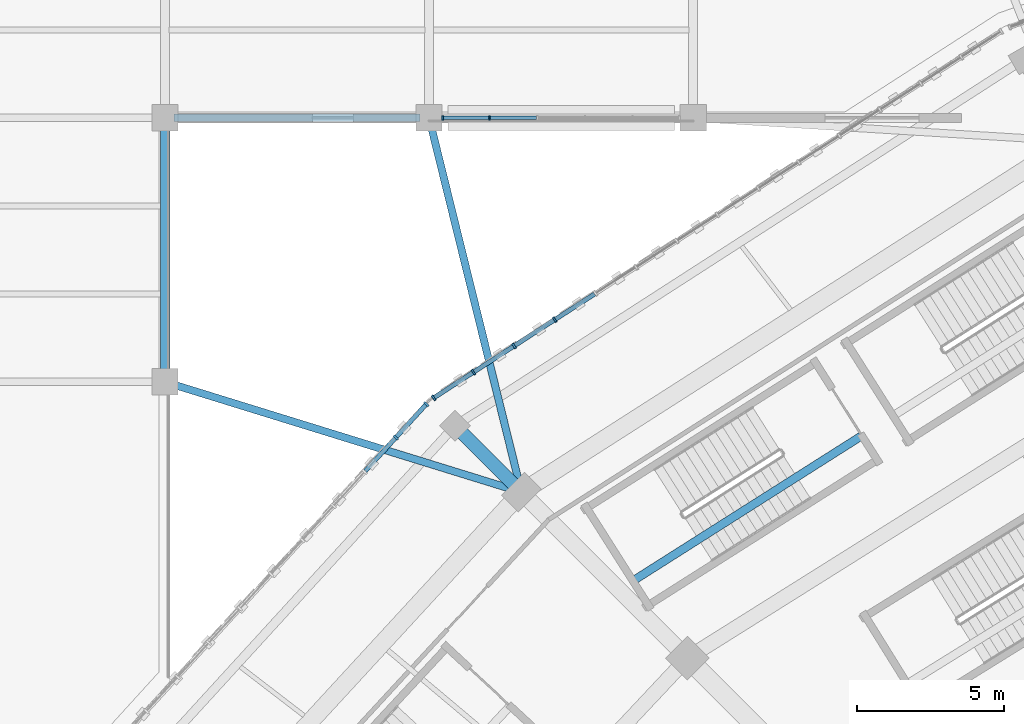
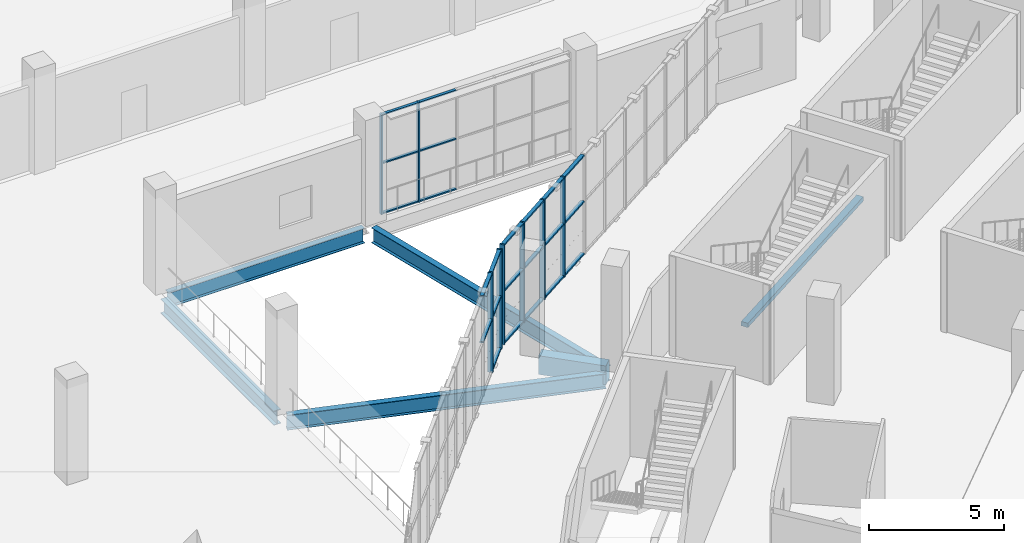
# One storey, part 47 of 183: 31 members, 6 beams, 3 elements without a shape of their own.
"""IFC4 building model written with IfcOpenShell, lengths in metres."""

from ifc_helpers import new_model, si_unit, direction, frame, origin, origin_2d, place, context, subcontext, project, spatial, rectangle, i_section, extrude, material, material_profile, profile_set, type_object, element, aggregate, save


model = new_model("IFC4")

# Units and contexts
model_context = context("Model", 3, precision=1e-05, world=origin(), true_north=direction((0.0, 1.0)))
body_context = subcontext(model_context, "Body", "Model", "MODEL_VIEW")
ifc_project = project(units=[si_unit("LENGTHUNIT", "METRE"), si_unit("AREAUNIT", "SQUARE_METRE"), si_unit("VOLUMEUNIT", "CUBIC_METRE"), si_unit("PLANEANGLEUNIT", "RADIAN"), si_unit("MASSUNIT", "GRAM", prefix="KILO")], contexts=[model_context])

# Site, building, storey
site_placement = place(None, origin())
site = spatial("IfcSite", under=ifc_project, at=site_placement, CompositionType="ELEMENT")
building_placement = place(site_placement, origin())
building = spatial("IfcBuilding", under=site, at=building_placement, Name="Zevraka Park Crest Stadium", CompositionType="ELEMENT")
storey_placement = place(building_placement, frame((0.0, 0.0, 5.39990234375)))
storey = spatial("IfcBuildingStorey", under=building, at=storey_placement, Name="L01", CompositionType="ELEMENT", Elevation=5.39990234375)

# Beams
ifc_material_1 = material(Name="Concrete C40/50", Category="concrete")
ifc_material_profile_1 = material_profile(ifc_material_1, rectangle(XDim=0.449951171875, YDim=0.85009765625, at=origin_2d()), Name="RC 850x450")
ifc_profile_set_1 = profile_set([ifc_material_profile_1], Name="Concrete C40/50")
beam_type_1 = type_object("IfcBeamType", Name="BG03", PredefinedType="BEAM", material=ifc_profile_set_1)
beam_1_placement = place(storey_placement, frame((47.93603515625, 145.45703125, -0.434814453125), z_axis=(-0.706965918589, 0.707247615728, 0.0), x_axis=(-0.707247615728, -0.706965918589, 0.0)))
element("IfcBeam", 1, at=beam_1_placement, inside=storey, type_object=beam_type_1, Name="Radial Girder BG03 L01-DE-09", PredefinedType="BEAM", context=body_context, shape_type="SweptSolid", body=[
    extrude(rectangle(XDim=0.449951171875, YDim=0.85009765625, at=origin_2d()), origin(), (0.0, 0.0, 1.0), 2.60009765625),
])
ifc_material_2 = material(Name="Steel S355", Category="steel")
ifc_material_profile_2 = material_profile(ifc_material_2, i_section(OverallWidth=0.253662109375, OverallDepth=0.68359375, WebThickness=0.012451171875, FlangeThickness=0.01904296875, at=origin_2d()), Name="UKB 686x254x140")
ifc_profile_set_2 = profile_set([ifc_material_profile_2], Name="Steel S355")
beam_type_2 = type_object("IfcBeamType", Name="BG05", PredefinedType="BEAM", material=ifc_profile_set_2)
beam_2_placement = place(storey_placement, frame((36.19091796875, 148.94091796875, -0.649658203125), z_axis=(0.955393662016, -0.295335318882, 0.0), x_axis=(0.295335318882, 0.955393662016, 0.0)))
element("IfcBeam", 2, at=beam_2_placement, inside=storey, type_object=beam_type_2, Name="Wing Link Girder BG05 L01-5/S", PredefinedType="BEAM", context=body_context, shape_type="SweptSolid", body=[
    extrude(i_section(OverallWidth=0.253662109375, OverallDepth=0.68359375, WebThickness=0.012451171875, FlangeThickness=0.01904296875, at=origin_2d()), origin(), (0.0, 0.0, 1.0), 12.13525390625),
])
beam_3_placement = place(storey_placement, frame((36.300048828125, 158.0, -0.649658203125), z_axis=(1.0, 0.0, 0.0), x_axis=(0.0, 1.0, 0.0)))
element("IfcBeam", 3, at=beam_3_placement, inside=storey, type_object=beam_type_2, Name="Wing Girder BG05 L01-56/T", PredefinedType="BEAM", context=body_context, shape_type="SweptSolid", body=[
    extrude(i_section(OverallWidth=0.253662109375, OverallDepth=0.68359375, WebThickness=0.012451171875, FlangeThickness=0.01904296875, at=origin_2d()), origin(), (0.0, 0.0, 1.0), 8.39990234375),
])
beam_4_placement = place(storey_placement, frame((45.048095703125, 157.805908203125, -0.649658203125), z_axis=(0.23959769566, -0.970872259483, 0.0), x_axis=(0.970872259483, 0.23959769566, 0.0)))
element("IfcBeam", 4, at=beam_4_placement, inside=storey, type_object=beam_type_2, Name="Wing Link Girder BG05 L01-6/T", PredefinedType="BEAM", context=body_context, shape_type="SweptSolid", body=[
    extrude(i_section(OverallWidth=0.253662109375, OverallDepth=0.68359375, WebThickness=0.012451171875, FlangeThickness=0.01904296875, at=origin_2d()), origin(), (0.0, 0.0, 1.0), 12.5576171875),
])
ifc_material_3 = material(Name="Steel S355", Category="steel")
ifc_material_profile_3 = material_profile(ifc_material_3, i_section(OverallWidth=0.300048828125, OverallDepth=0.64990234375, WebThickness=0.01611328125, FlangeThickness=0.031005859375, at=origin_2d()), Name="HEB 650")
ifc_profile_set_3 = profile_set([ifc_material_profile_3], Name="Steel S355")
beam_type_3 = type_object("IfcBeamType", Name="BG07", PredefinedType="BEAM", material=ifc_profile_set_3)
beam_5_placement = place(storey_placement, frame((36.0, 149.300048828125, -0.6328125), z_axis=(0.0, 1.0, 0.0), x_axis=(-1.0, 0.0, 0.0)))
element("IfcBeam", 5, at=beam_5_placement, inside=storey, type_object=beam_type_3, Name="Wing Girder BG07 L01-5/ST", PredefinedType="BEAM", context=body_context, shape_type="SweptSolid", body=[
    extrude(i_section(OverallWidth=0.300048828125, OverallDepth=0.64990234375, WebThickness=0.01611328125, FlangeThickness=0.031005859375, at=origin_2d()), origin(), (0.0, 0.0, 1.0), 8.39990234375),
])

# Curtain wall, members
ifc_material_4 = material(Name="Anodised architectural aluminium and laminated safety glass", Category="aluminium")
curtain_wall_type_1 = type_object("IfcCurtainWallType", Name="CW28", PredefinedType="NOTDEFINED", material=ifc_material_4)
curtain_wall_1_placement = place(storey_placement, origin())
curtain_wall_1 = element("IfcCurtainWall", 6, at=curtain_wall_1_placement, inside=storey, type_object=curtain_wall_type_1, Name="Wing Curtain Wall CW28 L01-NW-VER1-2", PredefinedType="NOTDEFINED")
ifc_material_5 = material(Name="Anodised architectural aluminium", Category="aluminium")
ifc_material_profile_4 = material_profile(ifc_material_5, rectangle(XDim=0.159912109375, YDim=0.06005859375, at=origin_2d()), Name="ALU MULLION 160x60")
ifc_profile_set_4 = profile_set([ifc_material_profile_4], Name="Anodised architectural aluminium")
member_type_1 = type_object("IfcMemberType", Name="CM01", PredefinedType="MULLION", material=ifc_profile_set_4)
member_1_placement = place(storey_placement, frame((47.06396484375, 158.0, 0.0), z_axis=(0.0, 0.0, 1.0), x_axis=(0.0, -1.0, 0.0)))
member_1 = element("IfcMember", 7, at=member_1_placement, type_object=member_type_1, Name="CW28 mullion 5", PredefinedType="MULLION", context=body_context, shape_type="SweptSolid", body=[
    extrude(rectangle(XDim=0.159912109375, YDim=0.06005859375, at=origin_2d()), origin(), (0.0, 0.0, 1.0), 4.52001953125),
])
member_2_placement = place(storey_placement, frame((45.469970703125, 158.0, 0.0), z_axis=(0.0, 0.0, 1.0), x_axis=(0.0, -1.0, 0.0)))
member_2 = element("IfcMember", 8, at=member_2_placement, type_object=member_type_1, Name="CW28 mullion 6", PredefinedType="MULLION", context=body_context, shape_type="SweptSolid", body=[
    extrude(rectangle(XDim=0.159912109375, YDim=0.06005859375, at=origin_2d()), origin(), (0.0, 0.0, 1.0), 4.52001953125),
])

ifc_material_6 = material(Name="Anodised architectural aluminium and laminated safety glass", Category="aluminium")
curtain_wall_type_2 = type_object("IfcCurtainWallType", Name="CW03", PredefinedType="NOTDEFINED", material=ifc_material_6)
curtain_wall_2_placement = place(storey_placement, origin())
curtain_wall_2 = element("IfcCurtainWall", 9, at=curtain_wall_2_placement, inside=storey, type_object=curtain_wall_type_2, Name="Unitised Ring Curtain Wall CW03 L01-08", PredefinedType="NOTDEFINED")
ifc_material_7 = material(Name="Anodised architectural aluminium", Category="aluminium")
ifc_material_profile_5 = material_profile(ifc_material_7, rectangle(XDim=0.199951171875, YDim=0.070068359375, at=origin_2d()), Name="ALU MULLION 200x70")
ifc_profile_set_5 = profile_set([ifc_material_profile_5], Name="Anodised architectural aluminium")
member_type_2 = type_object("IfcMemberType", Name="CM03", PredefinedType="MULLION", material=ifc_profile_set_5)
member_3_placement = place(storey_placement, frame((49.283935546875, 151.12109375, 0.0), z_axis=(0.0, 0.0, 1.0), x_axis=(0.542570628938, -0.840010186018, 0.0)))
member_3 = element("IfcMember", 10, at=member_3_placement, type_object=member_type_2, Name="CW03 mullion 12", PredefinedType="MULLION", context=body_context, shape_type="SweptSolid", body=[
    extrude(rectangle(XDim=0.199951171875, YDim=0.070068359375, at=origin_2d()), origin(), (0.0, 0.0, 1.0), 4.52001953125),
])
member_4_placement = place(storey_placement, frame((47.898193359375, 150.22607421875, 0.0), z_axis=(0.0, 0.0, 1.0), x_axis=(0.542570628938, -0.840010186018, 0.0)))
member_4 = element("IfcMember", 11, at=member_4_placement, type_object=member_type_2, Name="CW03 mullion 13", PredefinedType="MULLION", context=body_context, shape_type="SweptSolid", body=[
    extrude(rectangle(XDim=0.199951171875, YDim=0.070068359375, at=origin_2d()), origin(), (0.0, 0.0, 1.0), 4.52001953125),
])
member_5_placement = place(storey_placement, frame((46.5126953125, 149.3310546875, 0.0), z_axis=(0.0, 0.0, 1.0), x_axis=(0.542570628938, -0.840010186018, 0.0)))
member_5 = element("IfcMember", 12, at=member_5_placement, type_object=member_type_2, Name="CW03 mullion 14", PredefinedType="MULLION", context=body_context, shape_type="SweptSolid", body=[
    extrude(rectangle(XDim=0.199951171875, YDim=0.070068359375, at=origin_2d()), origin(), (0.0, 0.0, 1.0), 4.52001953125),
])
member_6_placement = place(storey_placement, frame((45.156494140625, 148.455078125, 0.0), z_axis=(0.0, 0.0, 1.0), x_axis=(0.542570628938, -0.840010186018, 0.0)))
member_6 = element("IfcMember", 13, at=member_6_placement, type_object=member_type_2, Name="CW03 mullion 15", PredefinedType="MULLION", context=body_context, shape_type="SweptSolid", body=[
    extrude(rectangle(XDim=0.199951171875, YDim=0.070068359375, at=origin_2d()), origin(), (0.0, 0.0, 1.0), 4.52001953125),
])

curtain_wall_3_placement = place(storey_placement, origin())
curtain_wall_3 = element("IfcCurtainWall", 14, at=curtain_wall_3_placement, inside=storey, type_object=curtain_wall_type_2, Name="Unitised Ring Curtain Wall CW03 L01-09", PredefinedType="NOTDEFINED")
member_7_placement = place(storey_placement, frame((44.907470703125, 148.244140625, 0.0), z_axis=(0.0, 0.0, 1.0), x_axis=(0.739023476371, -0.673679672672, 0.0)))
member_7 = element("IfcMember", 15, at=member_7_placement, type_object=member_type_2, Name="CW03 mullion 1", PredefinedType="MULLION", context=body_context, shape_type="SweptSolid", body=[
    extrude(rectangle(XDim=0.199951171875, YDim=0.070068359375, at=origin_2d()), origin(), (0.0, 0.0, 1.0), 4.52001953125),
])
member_8_placement = place(storey_placement, frame((43.868408203125, 147.104248046875, 0.0), z_axis=(0.0, 0.0, 1.0), x_axis=(0.739023476371, -0.673679672672, 0.0)))
member_8 = element("IfcMember", 16, at=member_8_placement, type_object=member_type_2, Name="CW03 mullion 2", PredefinedType="MULLION", context=body_context, shape_type="SweptSolid", body=[
    extrude(rectangle(XDim=0.199951171875, YDim=0.070068359375, at=origin_2d()), origin(), (0.0, 0.0, 1.0), 4.52001953125),
])

# Member
ifc_material_8 = material(Name="Anodised architectural aluminium", Category="aluminium")
ifc_material_profile_6 = material_profile(ifc_material_8, rectangle(XDim=0.1201171875, YDim=0.06005859375, at=origin_2d()), Name="ALU TRANSOM 120x60")
ifc_profile_set_6 = profile_set([ifc_material_profile_6], Name="Anodised architectural aluminium")
member_type_3 = type_object("IfcMemberType", Name="CT01", PredefinedType="USERDEFINED", material=ifc_profile_set_6)
member_9_placement = place(storey_placement, frame((48.657958984375, 158.0, 0.030029296875), z_axis=(-1.0, 0.0, 0.0), x_axis=(0.0, -1.0, 0.0)))
member_9 = element("IfcMember", 17, at=member_9_placement, type_object=member_type_3, Name="CW28 transom 4.1", ObjectType="TRANSOM", PredefinedType="USERDEFINED", context=body_context, shape_type="SweptSolid", body=[
    extrude(rectangle(XDim=0.1201171875, YDim=0.06005859375, at=origin_2d()), origin(), (0.0, 0.0, 1.0), 1.56396484375),
])

member_10_placement = place(storey_placement, frame((48.657958984375, 158.0, 2.300048828125), z_axis=(-1.0, 0.0, 0.0), x_axis=(0.0, -1.0, 0.0)))
member_10 = element("IfcMember", 18, at=member_10_placement, type_object=member_type_3, Name="CW28 transom 4.2", ObjectType="TRANSOM", PredefinedType="USERDEFINED", context=body_context, shape_type="SweptSolid", body=[
    extrude(rectangle(XDim=0.1201171875, YDim=0.06005859375, at=origin_2d()), origin(), (0.0, 0.0, 1.0), 1.56396484375),
])

member_11_placement = place(storey_placement, frame((48.657958984375, 158.0, 4.489990234375), z_axis=(-1.0, 0.0, 0.0), x_axis=(0.0, -1.0, 0.0)))
member_11 = element("IfcMember", 19, at=member_11_placement, type_object=member_type_3, Name="CW28 transom 4.3", ObjectType="TRANSOM", PredefinedType="USERDEFINED", context=body_context, shape_type="SweptSolid", body=[
    extrude(rectangle(XDim=0.1201171875, YDim=0.06005859375, at=origin_2d()), origin(), (0.0, 0.0, 1.0), 1.56396484375),
])

member_12_placement = place(storey_placement, frame((47.033935546875, 158.0, 0.030029296875), z_axis=(-1.0, 0.0, 0.0), x_axis=(0.0, -1.0, 0.0)))
member_12 = element("IfcMember", 20, at=member_12_placement, type_object=member_type_3, Name="CW28 transom 5.1", ObjectType="TRANSOM", PredefinedType="USERDEFINED", context=body_context, shape_type="SweptSolid", body=[
    extrude(rectangle(XDim=0.1201171875, YDim=0.06005859375, at=origin_2d()), origin(), (0.0, 0.0, 1.0), 1.533935546875),
])

member_13_placement = place(storey_placement, frame((47.033935546875, 158.0, 2.300048828125), z_axis=(-1.0, 0.0, 0.0), x_axis=(0.0, -1.0, 0.0)))
member_13 = element("IfcMember", 21, at=member_13_placement, type_object=member_type_3, Name="CW28 transom 5.2", ObjectType="TRANSOM", PredefinedType="USERDEFINED", context=body_context, shape_type="SweptSolid", body=[
    extrude(rectangle(XDim=0.1201171875, YDim=0.06005859375, at=origin_2d()), origin(), (0.0, 0.0, 1.0), 1.533935546875),
])

member_14_placement = place(storey_placement, frame((47.033935546875, 158.0, 4.489990234375), z_axis=(-1.0, 0.0, 0.0), x_axis=(0.0, -1.0, 0.0)))
member_14 = element("IfcMember", 22, at=member_14_placement, type_object=member_type_3, Name="CW28 transom 5.3", ObjectType="TRANSOM", PredefinedType="USERDEFINED", context=body_context, shape_type="SweptSolid", body=[
    extrude(rectangle(XDim=0.1201171875, YDim=0.06005859375, at=origin_2d()), origin(), (0.0, 0.0, 1.0), 1.533935546875),
])

aggregate(curtain_wall_1, [member_1, member_2, member_9, member_10, member_11, member_12, member_13, member_14])

ifc_material_9 = material(Name="Anodised architectural aluminium", Category="aluminium")
ifc_material_profile_7 = material_profile(ifc_material_9, rectangle(XDim=0.14990234375, YDim=0.070068359375, at=origin_2d()), Name="ALU TRANSOM 150x70")
ifc_profile_set_7 = profile_set([ifc_material_profile_7], Name="Anodised architectural aluminium")
member_type_4 = type_object("IfcMemberType", Name="CT03", PredefinedType="USERDEFINED", material=ifc_profile_set_7)
member_15_placement = place(storey_placement, frame((50.64013671875, 151.9970703125, 0.03515625), z_axis=(-0.839976274256, -0.542623127675, 0.0), x_axis=(0.542623127675, -0.839976274256, 0.0)))
member_15 = element("IfcMember", 23, at=member_15_placement, type_object=member_type_4, Name="CW03 transom 11.1", ObjectType="TRANSOM", PredefinedType="USERDEFINED", context=body_context, shape_type="SweptSolid", body=[
    extrude(rectangle(XDim=0.14990234375, YDim=0.070068359375, at=origin_2d()), origin(), (0.0, 0.0, 1.0), 1.57958984375),
])

member_16_placement = place(storey_placement, frame((50.64013671875, 151.9970703125, 2.400146484375), z_axis=(-0.839976274256, -0.542623127675, 0.0), x_axis=(0.542623127675, -0.839976274256, 0.0)))
member_16 = element("IfcMember", 24, at=member_16_placement, type_object=member_type_4, Name="CW03 transom 11.2", ObjectType="TRANSOM", PredefinedType="USERDEFINED", context=body_context, shape_type="SweptSolid", body=[
    extrude(rectangle(XDim=0.14990234375, YDim=0.070068359375, at=origin_2d()), origin(), (0.0, 0.0, 1.0), 1.57958984375),
])

member_17_placement = place(storey_placement, frame((50.64013671875, 151.9970703125, 4.485107421875), z_axis=(-0.839976274256, -0.542623127675, 0.0), x_axis=(0.542623127675, -0.839976274256, 0.0)))
member_17 = element("IfcMember", 25, at=member_17_placement, type_object=member_type_4, Name="CW03 transom 11.3", ObjectType="TRANSOM", PredefinedType="USERDEFINED", context=body_context, shape_type="SweptSolid", body=[
    extrude(rectangle(XDim=0.14990234375, YDim=0.070068359375, at=origin_2d()), origin(), (0.0, 0.0, 1.0), 1.57958984375),
])

member_18_placement = place(storey_placement, frame((49.254638671875, 151.10205078125, 0.03515625), z_axis=(-0.839976274256, -0.542623127675, 0.0), x_axis=(0.542623127675, -0.839976274256, 0.0)))
member_18 = element("IfcMember", 26, at=member_18_placement, type_object=member_type_4, Name="CW03 transom 12.1", ObjectType="TRANSOM", PredefinedType="USERDEFINED", context=body_context, shape_type="SweptSolid", body=[
    extrude(rectangle(XDim=0.14990234375, YDim=0.070068359375, at=origin_2d()), origin(), (0.0, 0.0, 1.0), 1.57958984375),
])

member_19_placement = place(storey_placement, frame((49.254638671875, 151.10205078125, 2.400146484375), z_axis=(-0.839976274256, -0.542623127675, 0.0), x_axis=(0.542623127675, -0.839976274256, 0.0)))
member_19 = element("IfcMember", 27, at=member_19_placement, type_object=member_type_4, Name="CW03 transom 12.2", ObjectType="TRANSOM", PredefinedType="USERDEFINED", context=body_context, shape_type="SweptSolid", body=[
    extrude(rectangle(XDim=0.14990234375, YDim=0.070068359375, at=origin_2d()), origin(), (0.0, 0.0, 1.0), 1.57958984375),
])

member_20_placement = place(storey_placement, frame((49.254638671875, 151.10205078125, 4.485107421875), z_axis=(-0.839976274256, -0.542623127675, 0.0), x_axis=(0.542623127675, -0.839976274256, 0.0)))
member_20 = element("IfcMember", 28, at=member_20_placement, type_object=member_type_4, Name="CW03 transom 12.3", ObjectType="TRANSOM", PredefinedType="USERDEFINED", context=body_context, shape_type="SweptSolid", body=[
    extrude(rectangle(XDim=0.14990234375, YDim=0.070068359375, at=origin_2d()), origin(), (0.0, 0.0, 1.0), 1.57958984375),
])

member_21_placement = place(storey_placement, frame((47.868896484375, 150.20703125, 0.03515625), z_axis=(-0.840046715264, -0.542514070024, 0.0), x_axis=(0.542514070024, -0.840046715264, 0.0)))
member_21 = element("IfcMember", 29, at=member_21_placement, type_object=member_type_4, Name="CW03 transom 13.1", ObjectType="TRANSOM", PredefinedType="USERDEFINED", context=body_context, shape_type="SweptSolid", body=[
    extrude(rectangle(XDim=0.14990234375, YDim=0.070068359375, at=origin_2d()), origin(), (0.0, 0.0, 1.0), 1.57958984375),
])

member_22_placement = place(storey_placement, frame((47.868896484375, 150.20703125, 2.400146484375), z_axis=(-0.840046715264, -0.542514070024, 0.0), x_axis=(0.542514070024, -0.840046715264, 0.0)))
member_22 = element("IfcMember", 30, at=member_22_placement, type_object=member_type_4, Name="CW03 transom 13.2", ObjectType="TRANSOM", PredefinedType="USERDEFINED", context=body_context, shape_type="SweptSolid", body=[
    extrude(rectangle(XDim=0.14990234375, YDim=0.070068359375, at=origin_2d()), origin(), (0.0, 0.0, 1.0), 1.57958984375),
])

member_23_placement = place(storey_placement, frame((47.868896484375, 150.20703125, 4.485107421875), z_axis=(-0.840046715264, -0.542514070024, 0.0), x_axis=(0.542514070024, -0.840046715264, 0.0)))
member_23 = element("IfcMember", 31, at=member_23_placement, type_object=member_type_4, Name="CW03 transom 13.3", ObjectType="TRANSOM", PredefinedType="USERDEFINED", context=body_context, shape_type="SweptSolid", body=[
    extrude(rectangle(XDim=0.14990234375, YDim=0.070068359375, at=origin_2d()), origin(), (0.0, 0.0, 1.0), 1.57958984375),
])

member_24_placement = place(storey_placement, frame((46.483154296875, 149.31201171875, 0.03515625), z_axis=(-0.839964330601, -0.542641615911, 0.0), x_axis=(0.542641615911, -0.839964330601, 0.0)))
member_24 = element("IfcMember", 32, at=member_24_placement, type_object=member_type_4, Name="CW03 transom 14.1", ObjectType="TRANSOM", PredefinedType="USERDEFINED", context=body_context, shape_type="SweptSolid", body=[
    extrude(rectangle(XDim=0.14990234375, YDim=0.070068359375, at=origin_2d()), origin(), (0.0, 0.0, 1.0), 1.54443359375),
])

member_25_placement = place(storey_placement, frame((46.483154296875, 149.31201171875, 2.400146484375), z_axis=(-0.839964330601, -0.542641615911, 0.0), x_axis=(0.542641615911, -0.839964330601, 0.0)))
member_25 = element("IfcMember", 33, at=member_25_placement, type_object=member_type_4, Name="CW03 transom 14.2", ObjectType="TRANSOM", PredefinedType="USERDEFINED", context=body_context, shape_type="SweptSolid", body=[
    extrude(rectangle(XDim=0.14990234375, YDim=0.070068359375, at=origin_2d()), origin(), (0.0, 0.0, 1.0), 1.54443359375),
])

member_26_placement = place(storey_placement, frame((46.483154296875, 149.31201171875, 4.485107421875), z_axis=(-0.839964330601, -0.542641615911, 0.0), x_axis=(0.542641615911, -0.839964330601, 0.0)))
member_26 = element("IfcMember", 34, at=member_26_placement, type_object=member_type_4, Name="CW03 transom 14.3", ObjectType="TRANSOM", PredefinedType="USERDEFINED", context=body_context, shape_type="SweptSolid", body=[
    extrude(rectangle(XDim=0.14990234375, YDim=0.070068359375, at=origin_2d()), origin(), (0.0, 0.0, 1.0), 1.54443359375),
])

aggregate(curtain_wall_2, [member_3, member_4, member_5, member_6, member_15, member_16, member_17, member_18, member_19, member_20, member_21, member_22, member_23, member_24, member_25, member_26])

member_27_placement = place(storey_placement, frame((44.8837890625, 148.21826171875, 0.03515625), z_axis=(-0.673687280194, -0.739016541429, 0.0), x_axis=(0.739016541429, -0.673687280194, 0.0)))
member_27 = element("IfcMember", 35, at=member_27_placement, type_object=member_type_4, Name="CW03 transom 1.1", ObjectType="TRANSOM", PredefinedType="USERDEFINED", context=body_context, shape_type="SweptSolid", body=[
    extrude(rectangle(XDim=0.14990234375, YDim=0.070068359375, at=origin_2d()), origin(), (0.0, 0.0, 1.0), 1.472412109375),
])

member_28_placement = place(storey_placement, frame((44.8837890625, 148.21826171875, 2.400146484375), z_axis=(-0.673687280194, -0.739016541429, 0.0), x_axis=(0.739016541429, -0.673687280194, 0.0)))
member_28 = element("IfcMember", 36, at=member_28_placement, type_object=member_type_4, Name="CW03 transom 1.2", ObjectType="TRANSOM", PredefinedType="USERDEFINED", context=body_context, shape_type="SweptSolid", body=[
    extrude(rectangle(XDim=0.14990234375, YDim=0.070068359375, at=origin_2d()), origin(), (0.0, 0.0, 1.0), 1.472412109375),
])

member_29_placement = place(storey_placement, frame((44.8837890625, 148.21826171875, 4.485107421875), z_axis=(-0.673687280194, -0.739016541429, 0.0), x_axis=(0.739016541429, -0.673687280194, 0.0)))
member_29 = element("IfcMember", 37, at=member_29_placement, type_object=member_type_4, Name="CW03 transom 1.3", ObjectType="TRANSOM", PredefinedType="USERDEFINED", context=body_context, shape_type="SweptSolid", body=[
    extrude(rectangle(XDim=0.14990234375, YDim=0.070068359375, at=origin_2d()), origin(), (0.0, 0.0, 1.0), 1.472412109375),
])

member_30_placement = place(storey_placement, frame((43.8447265625, 147.078369140625, 2.400146484375), z_axis=(-0.673631587043, -0.739067307448, 0.0), x_axis=(0.739067307448, -0.673631587043, 0.0)))
member_30 = element("IfcMember", 38, at=member_30_placement, type_object=member_type_4, Name="CW03 transom 2.2", ObjectType="TRANSOM", PredefinedType="USERDEFINED", context=body_context, shape_type="SweptSolid", body=[
    extrude(rectangle(XDim=0.14990234375, YDim=0.070068359375, at=origin_2d()), origin(), (0.0, 0.0, 1.0), 1.50732421875),
])

member_31_placement = place(storey_placement, frame((43.8447265625, 147.078369140625, 4.485107421875), z_axis=(-0.673631587043, -0.739067307448, 0.0), x_axis=(0.739067307448, -0.673631587043, 0.0)))
member_31 = element("IfcMember", 39, at=member_31_placement, type_object=member_type_4, Name="CW03 transom 2.3", ObjectType="TRANSOM", PredefinedType="USERDEFINED", context=body_context, shape_type="SweptSolid", body=[
    extrude(rectangle(XDim=0.14990234375, YDim=0.070068359375, at=origin_2d()), origin(), (0.0, 0.0, 1.0), 1.50732421875),
])

aggregate(curtain_wall_3, [member_7, member_8, member_27, member_28, member_29, member_30, member_31])

# Beam
ifc_material_10 = material(Name="Concrete C40/50", Category="concrete")
ifc_material_profile_8 = material_profile(ifc_material_10, rectangle(XDim=0.280029296875, YDim=0.199951171875, at=origin_2d()), Name="RC 200x280")
ifc_profile_set_8 = profile_set([ifc_material_profile_8], Name="Concrete C40/50")
beam_type_4 = type_object("IfcBeamType", Name="SJ13", PredefinedType="JOIST", material=ifc_profile_set_8)
beam_6_placement = place(storey_placement, frame((59.7294921875, 147.155517578125, 2.300048828125), z_axis=(-0.844396466688, -0.53571877608, 0.0), x_axis=(0.53571877608, -0.844396466688, 0.0)))
element("IfcBeam", 40, at=beam_6_placement, inside=storey, type_object=beam_type_4, Name="Stair Upper-Flight Longitudinal Stringer SJ13 ST28-L01", PredefinedType="JOIST", context=body_context, shape_type="SweptSolid", body=[
    extrude(rectangle(XDim=0.280029296875, YDim=0.199951171875, at=origin_2d()), origin(), (0.0, 0.0, 1.0), 9.249755859375),
])

save(model, "model.ifc")
